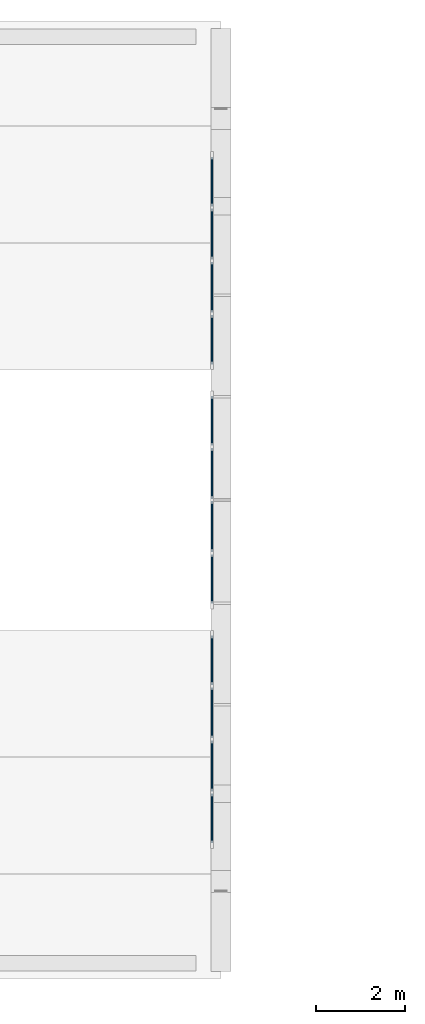
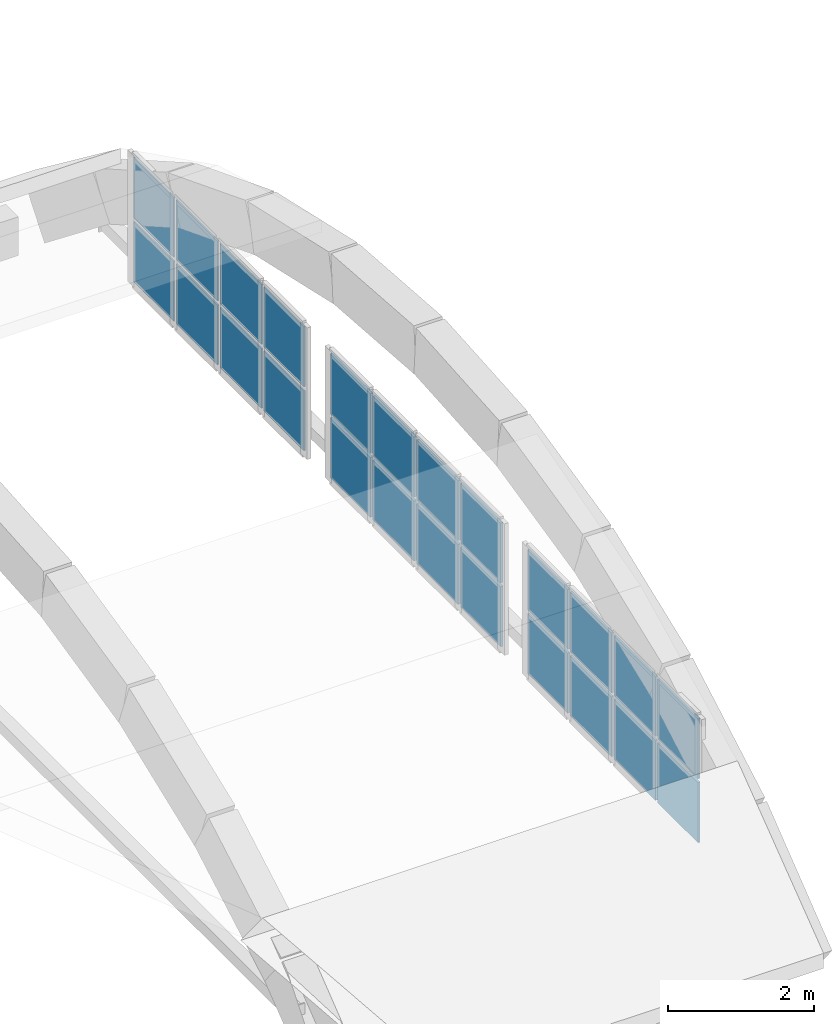
# One storey, part 31 of 73: 24 plates, 3 elements without a shape of their own.
"""IFC4 building model written with IfcOpenShell, lengths in metres."""

from ifc_helpers import new_model, si_unit, derived_unit, direction, frame, origin, origin_2d, place, context, subcontext, project, spatial, rectangle, extrude, material, layer, layer_set, type_object, element, aggregate, save


model = new_model("IFC4")

# Units and contexts
model_context = context("Model", 3, precision=1e-05, world=origin(), true_north=direction((0.0, 1.0)))
body_context = subcontext(model_context, "Body", "Model", "MODEL_VIEW")
ifc_project = project(units=[si_unit("LENGTHUNIT", "METRE"), si_unit("AREAUNIT", "SQUARE_METRE"), si_unit("VOLUMEUNIT", "CUBIC_METRE"), si_unit("PLANEANGLEUNIT", "RADIAN"), si_unit("MASSUNIT", "GRAM", prefix="KILO"), derived_unit("THERMALTRANSMITTANCEUNIT", [(si_unit("MASSUNIT", "GRAM", prefix="KILO"), 1), (si_unit("TIMEUNIT", "SECOND"), -3), (si_unit("THERMODYNAMICTEMPERATUREUNIT", "KELVIN"), -1)])], contexts=[model_context])

# Site, building, storey
site_placement = place(None, origin())
site = spatial("IfcSite", under=ifc_project, at=site_placement, CompositionType="ELEMENT")
building_placement = place(site_placement, origin())
building = spatial("IfcBuilding", under=site, at=building_placement, Name="Ochrekiln Boulevard Commons", CompositionType="ELEMENT")
storey_placement = place(building_placement, frame((0.0, 0.0, 8.574951171875)))
storey = spatial("IfcBuildingStorey", under=building, at=storey_placement, Name="L02", CompositionType="ELEMENT", Elevation=8.574951171875)

# Curtain wall, plates
ifc_material_1 = material(Name="Bronze-anodized extruded aluminium 6063-T6", Category="aluminium")
ifc_layer_1 = layer(ifc_material_1, 0.196044921875)
ifc_layer_set_1 = layer_set([ifc_layer_1], Name="Bronze-anodized extruded aluminium 6063-T6")
curtain_wall_type = type_object("IfcCurtainWallType", Name="CW-HALL", PredefinedType="USERDEFINED", material=ifc_layer_set_1)
curtain_wall_1_placement = place(storey_placement, origin())
curtain_wall_1 = element("IfcCurtainWall", 1, at=curtain_wall_1_placement, inside=storey, type_object=curtain_wall_type, Name="Community Hall Vault Tympanum Curtain Wall E-3", ObjectType="GLAZED CURTAIN WALL", PredefinedType="USERDEFINED")
ifc_material_2 = material(Name="Spectrally selective low-E insulated glazing", Category="glass")
ifc_layer_2 = layer(ifc_material_2, 0.02392578125)
ifc_layer_set_2 = layer_set([ifc_layer_2], Name="Spectrally selective low-E insulated glazing")
plate_type_1 = type_object("IfcPlateType", Name="CWP-GLZ-1", PredefinedType="CURTAIN_PANEL", material=ifc_layer_set_2)
plate_1_placement = place(storey_placement, frame((107.800048828125, 50.416259765625, 0.065185546875), z_axis=(0.0, 0.0, 1.0), x_axis=(0.0, 1.0, 0.0)))
plate_1 = element("IfcPlate", 2, at=plate_1_placement, type_object=plate_type_1, Name="CW-03 panel 1.1", PredefinedType="CURTAIN_PANEL", context=body_context, shape_type="SweptSolid", body=[
    extrude(rectangle(XDim=1.1025390625, YDim=0.02392578125, at=origin_2d()), origin(), (0.0, 0.0, 1.0), 1.00244140625),
])
plate_2_placement = place(storey_placement, frame((107.800048828125, 50.416259765625, 1.132568359375), z_axis=(0.0, 0.0, 1.0), x_axis=(0.0, 1.0, 0.0)))
plate_2 = element("IfcPlate", 3, at=plate_2_placement, type_object=plate_type_1, Name="CW-03 panel 1.2", PredefinedType="CURTAIN_PANEL", context=body_context, shape_type="SweptSolid", body=[
    extrude(rectangle(XDim=1.1025390625, YDim=0.02392578125, at=origin_2d()), origin(), (0.0, 0.0, 1.0), 1.00244140625),
])
plate_3_placement = place(storey_placement, frame((107.800048828125, 51.60009765625, 0.065185546875), z_axis=(0.0, 0.0, 1.0), x_axis=(0.0, 1.0, 0.0)))
plate_3 = element("IfcPlate", 4, at=plate_3_placement, type_object=plate_type_1, Name="CW-03 panel 2.1", PredefinedType="CURTAIN_PANEL", context=body_context, shape_type="SweptSolid", body=[
    extrude(rectangle(XDim=1.135009765625, YDim=0.02392578125, at=origin_2d()), origin(), (0.0, 0.0, 1.0), 1.00244140625),
])
plate_4_placement = place(storey_placement, frame((107.800048828125, 51.60009765625, 1.132568359375), z_axis=(0.0, 0.0, 1.0), x_axis=(0.0, 1.0, 0.0)))
plate_4 = element("IfcPlate", 5, at=plate_4_placement, type_object=plate_type_1, Name="CW-03 panel 2.2", PredefinedType="CURTAIN_PANEL", context=body_context, shape_type="SweptSolid", body=[
    extrude(rectangle(XDim=1.135009765625, YDim=0.02392578125, at=origin_2d()), origin(), (0.0, 0.0, 1.0), 1.00244140625),
])
plate_5_placement = place(storey_placement, frame((107.800048828125, 52.800048828125, 0.065185546875), z_axis=(0.0, 0.0, 1.0), x_axis=(0.0, 1.0, 0.0)))
plate_5 = element("IfcPlate", 6, at=plate_5_placement, type_object=plate_type_1, Name="CW-03 panel 3.1", PredefinedType="CURTAIN_PANEL", context=body_context, shape_type="SweptSolid", body=[
    extrude(rectangle(XDim=1.135009765625, YDim=0.02392578125, at=origin_2d()), origin(), (0.0, 0.0, 1.0), 1.00244140625),
])
plate_6_placement = place(storey_placement, frame((107.800048828125, 52.800048828125, 1.132568359375), z_axis=(0.0, 0.0, 1.0), x_axis=(0.0, 1.0, 0.0)))
plate_6 = element("IfcPlate", 7, at=plate_6_placement, type_object=plate_type_1, Name="CW-03 panel 3.2", PredefinedType="CURTAIN_PANEL", context=body_context, shape_type="SweptSolid", body=[
    extrude(rectangle(XDim=1.135009765625, YDim=0.02392578125, at=origin_2d()), origin(), (0.0, 0.0, 1.0), 1.00244140625),
])
plate_7_placement = place(storey_placement, frame((107.800048828125, 53.983642578125, 0.065185546875), z_axis=(0.0, 0.0, 1.0), x_axis=(0.0, 1.0, 0.0)))
plate_7 = element("IfcPlate", 8, at=plate_7_placement, type_object=plate_type_1, Name="CW-03 panel 4.1", PredefinedType="CURTAIN_PANEL", context=body_context, shape_type="SweptSolid", body=[
    extrude(rectangle(XDim=1.1025390625, YDim=0.02392578125, at=origin_2d()), origin(), (0.0, 0.0, 1.0), 1.00244140625),
])
plate_8_placement = place(storey_placement, frame((107.800048828125, 53.983642578125, 1.132568359375), z_axis=(0.0, 0.0, 1.0), x_axis=(0.0, 1.0, 0.0)))
plate_8 = element("IfcPlate", 9, at=plate_8_placement, type_object=plate_type_1, Name="CW-03 panel 4.2", PredefinedType="CURTAIN_PANEL", context=body_context, shape_type="SweptSolid", body=[
    extrude(rectangle(XDim=1.1025390625, YDim=0.02392578125, at=origin_2d()), origin(), (0.0, 0.0, 1.0), 1.00244140625),
])
aggregate(curtain_wall_1, [plate_1, plate_2, plate_3, plate_4, plate_5, plate_6, plate_7, plate_8])

curtain_wall_2_placement = place(storey_placement, origin())
curtain_wall_2 = element("IfcCurtainWall", 10, at=curtain_wall_2_placement, inside=storey, type_object=curtain_wall_type, Name="Community Hall Vault Tympanum Curtain Wall E-1", ObjectType="GLAZED CURTAIN WALL", PredefinedType="USERDEFINED")
ifc_layer_3 = layer(ifc_material_2, 0.035888671875)
ifc_layer_set_3 = layer_set([ifc_layer_3], Name="Spectrally selective low-E insulated glazing")
plate_type_2 = type_object("IfcPlateType", Name="CWP-GLZ-3", PredefinedType="CURTAIN_PANEL", material=ifc_layer_set_3)
plate_9_placement = place(storey_placement, frame((107.800048828125, 39.6162109375, 0.065185546875), z_axis=(0.0, 0.0, 1.0), x_axis=(0.0, 1.0, 0.0)))
plate_9 = element("IfcPlate", 11, at=plate_9_placement, type_object=plate_type_2, Name="CW-03 panel 1.1", PredefinedType="CURTAIN_PANEL", context=body_context, shape_type="SweptSolid", body=[
    extrude(rectangle(XDim=1.1025390625, YDim=0.035888671875, at=origin_2d()), origin(), (0.0, 0.0, 1.0), 1.00244140625),
])
plate_10_placement = place(storey_placement, frame((107.800048828125, 39.6162109375, 1.132568359375), z_axis=(0.0, 0.0, 1.0), x_axis=(0.0, 1.0, 0.0)))
plate_10 = element("IfcPlate", 12, at=plate_10_placement, type_object=plate_type_2, Name="CW-03 panel 1.2", PredefinedType="CURTAIN_PANEL", context=body_context, shape_type="SweptSolid", body=[
    extrude(rectangle(XDim=1.1025390625, YDim=0.035888671875, at=origin_2d()), origin(), (0.0, 0.0, 1.0), 1.00244140625),
])
plate_11_placement = place(storey_placement, frame((107.800048828125, 40.800048828125, 0.065185546875), z_axis=(0.0, 0.0, 1.0), x_axis=(0.0, 1.0, 0.0)))
plate_11 = element("IfcPlate", 13, at=plate_11_placement, type_object=plate_type_2, Name="CW-03 panel 2.1", PredefinedType="CURTAIN_PANEL", context=body_context, shape_type="SweptSolid", body=[
    extrude(rectangle(XDim=1.135009765625, YDim=0.035888671875, at=origin_2d()), origin(), (0.0, 0.0, 1.0), 1.00244140625),
])
plate_12_placement = place(storey_placement, frame((107.800048828125, 40.800048828125, 1.132568359375), z_axis=(0.0, 0.0, 1.0), x_axis=(0.0, 1.0, 0.0)))
plate_12 = element("IfcPlate", 14, at=plate_12_placement, type_object=plate_type_2, Name="CW-03 panel 2.2", PredefinedType="CURTAIN_PANEL", context=body_context, shape_type="SweptSolid", body=[
    extrude(rectangle(XDim=1.135009765625, YDim=0.035888671875, at=origin_2d()), origin(), (0.0, 0.0, 1.0), 1.00244140625),
])
plate_13_placement = place(storey_placement, frame((107.800048828125, 42.0, 0.065185546875), z_axis=(0.0, 0.0, 1.0), x_axis=(0.0, 1.0, 0.0)))
plate_13 = element("IfcPlate", 15, at=plate_13_placement, type_object=plate_type_2, Name="CW-03 panel 3.1", PredefinedType="CURTAIN_PANEL", context=body_context, shape_type="SweptSolid", body=[
    extrude(rectangle(XDim=1.135009765625, YDim=0.035888671875, at=origin_2d()), origin(), (0.0, 0.0, 1.0), 1.00244140625),
])
plate_14_placement = place(storey_placement, frame((107.800048828125, 42.0, 1.132568359375), z_axis=(0.0, 0.0, 1.0), x_axis=(0.0, 1.0, 0.0)))
plate_14 = element("IfcPlate", 16, at=plate_14_placement, type_object=plate_type_2, Name="CW-03 panel 3.2", PredefinedType="CURTAIN_PANEL", context=body_context, shape_type="SweptSolid", body=[
    extrude(rectangle(XDim=1.135009765625, YDim=0.035888671875, at=origin_2d()), origin(), (0.0, 0.0, 1.0), 1.00244140625),
])
plate_15_placement = place(storey_placement, frame((107.800048828125, 43.183837890625, 0.065185546875), z_axis=(0.0, 0.0, 1.0), x_axis=(0.0, 1.0, 0.0)))
plate_15 = element("IfcPlate", 17, at=plate_15_placement, type_object=plate_type_2, Name="CW-03 panel 4.1", PredefinedType="CURTAIN_PANEL", context=body_context, shape_type="SweptSolid", body=[
    extrude(rectangle(XDim=1.1025390625, YDim=0.035888671875, at=origin_2d()), origin(), (0.0, 0.0, 1.0), 1.00244140625),
])
plate_16_placement = place(storey_placement, frame((107.800048828125, 43.183837890625, 1.132568359375), z_axis=(0.0, 0.0, 1.0), x_axis=(0.0, 1.0, 0.0)))
plate_16 = element("IfcPlate", 18, at=plate_16_placement, type_object=plate_type_2, Name="CW-03 panel 4.2", PredefinedType="CURTAIN_PANEL", context=body_context, shape_type="SweptSolid", body=[
    extrude(rectangle(XDim=1.1025390625, YDim=0.035888671875, at=origin_2d()), origin(), (0.0, 0.0, 1.0), 1.00244140625),
])
aggregate(curtain_wall_2, [plate_9, plate_10, plate_11, plate_12, plate_13, plate_14, plate_15, plate_16])

curtain_wall_3_placement = place(storey_placement, origin())
curtain_wall_3 = element("IfcCurtainWall", 19, at=curtain_wall_3_placement, inside=storey, type_object=curtain_wall_type, Name="Community Hall Vault Tympanum Curtain Wall E-2", ObjectType="GLAZED CURTAIN WALL", PredefinedType="USERDEFINED")
ifc_layer_4 = layer(ifc_material_2, 0.0419921875)
ifc_layer_set_4 = layer_set([ifc_layer_4], Name="Spectrally selective low-E insulated glazing")
plate_type_3 = type_object("IfcPlateType", Name="CWP-GLZ-4", PredefinedType="CURTAIN_PANEL", material=ifc_layer_set_4)
plate_17_placement = place(storey_placement, frame((107.800048828125, 45.016357421875, 0.065185546875), z_axis=(0.0, 0.0, 1.0), x_axis=(0.0, 1.0, 0.0)))
plate_17 = element("IfcPlate", 20, at=plate_17_placement, type_object=plate_type_3, Name="CW-03 panel 1.1", PredefinedType="CURTAIN_PANEL", context=body_context, shape_type="SweptSolid", body=[
    extrude(rectangle(XDim=1.1025390625, YDim=0.0419921875, at=origin_2d()), origin(), (0.0, 0.0, 1.0), 1.00244140625),
])
plate_18_placement = place(storey_placement, frame((107.800048828125, 45.016357421875, 1.132568359375), z_axis=(0.0, 0.0, 1.0), x_axis=(0.0, 1.0, 0.0)))
plate_18 = element("IfcPlate", 21, at=plate_18_placement, type_object=plate_type_3, Name="CW-03 panel 1.2", PredefinedType="CURTAIN_PANEL", context=body_context, shape_type="SweptSolid", body=[
    extrude(rectangle(XDim=1.1025390625, YDim=0.0419921875, at=origin_2d()), origin(), (0.0, 0.0, 1.0), 1.00244140625),
])
plate_19_placement = place(storey_placement, frame((107.800048828125, 46.199951171875, 0.065185546875), z_axis=(0.0, 0.0, 1.0), x_axis=(0.0, 1.0, 0.0)))
plate_19 = element("IfcPlate", 22, at=plate_19_placement, type_object=plate_type_3, Name="CW-03 panel 2.1", PredefinedType="CURTAIN_PANEL", context=body_context, shape_type="SweptSolid", body=[
    extrude(rectangle(XDim=1.135009765625, YDim=0.0419921875, at=origin_2d()), origin(), (0.0, 0.0, 1.0), 1.00244140625),
])
plate_20_placement = place(storey_placement, frame((107.800048828125, 46.199951171875, 1.132568359375), z_axis=(0.0, 0.0, 1.0), x_axis=(0.0, 1.0, 0.0)))
plate_20 = element("IfcPlate", 23, at=plate_20_placement, type_object=plate_type_3, Name="CW-03 panel 2.2", PredefinedType="CURTAIN_PANEL", context=body_context, shape_type="SweptSolid", body=[
    extrude(rectangle(XDim=1.135009765625, YDim=0.0419921875, at=origin_2d()), origin(), (0.0, 0.0, 1.0), 1.00244140625),
])
plate_21_placement = place(storey_placement, frame((107.800048828125, 47.39990234375, 0.065185546875), z_axis=(0.0, 0.0, 1.0), x_axis=(0.0, 1.0, 0.0)))
plate_21 = element("IfcPlate", 24, at=plate_21_placement, type_object=plate_type_3, Name="CW-03 panel 3.1", PredefinedType="CURTAIN_PANEL", context=body_context, shape_type="SweptSolid", body=[
    extrude(rectangle(XDim=1.135009765625, YDim=0.0419921875, at=origin_2d()), origin(), (0.0, 0.0, 1.0), 1.00244140625),
])
plate_22_placement = place(storey_placement, frame((107.800048828125, 47.39990234375, 1.132568359375), z_axis=(0.0, 0.0, 1.0), x_axis=(0.0, 1.0, 0.0)))
plate_22 = element("IfcPlate", 25, at=plate_22_placement, type_object=plate_type_3, Name="CW-03 panel 3.2", PredefinedType="CURTAIN_PANEL", context=body_context, shape_type="SweptSolid", body=[
    extrude(rectangle(XDim=1.135009765625, YDim=0.0419921875, at=origin_2d()), origin(), (0.0, 0.0, 1.0), 1.00244140625),
])
plate_23_placement = place(storey_placement, frame((107.800048828125, 48.583740234375, 0.065185546875), z_axis=(0.0, 0.0, 1.0), x_axis=(0.0, 1.0, 0.0)))
plate_23 = element("IfcPlate", 26, at=plate_23_placement, type_object=plate_type_3, Name="CW-03 panel 4.1", PredefinedType="CURTAIN_PANEL", context=body_context, shape_type="SweptSolid", body=[
    extrude(rectangle(XDim=1.1025390625, YDim=0.0419921875, at=origin_2d()), origin(), (0.0, 0.0, 1.0), 1.00244140625),
])
plate_24_placement = place(storey_placement, frame((107.800048828125, 48.583740234375, 1.132568359375), z_axis=(0.0, 0.0, 1.0), x_axis=(0.0, 1.0, 0.0)))
plate_24 = element("IfcPlate", 27, at=plate_24_placement, type_object=plate_type_3, Name="CW-03 panel 4.2", PredefinedType="CURTAIN_PANEL", context=body_context, shape_type="SweptSolid", body=[
    extrude(rectangle(XDim=1.1025390625, YDim=0.0419921875, at=origin_2d()), origin(), (0.0, 0.0, 1.0), 1.00244140625),
])
aggregate(curtain_wall_3, [plate_17, plate_18, plate_19, plate_20, plate_21, plate_22, plate_23, plate_24])

save(model, "model.ifc")
